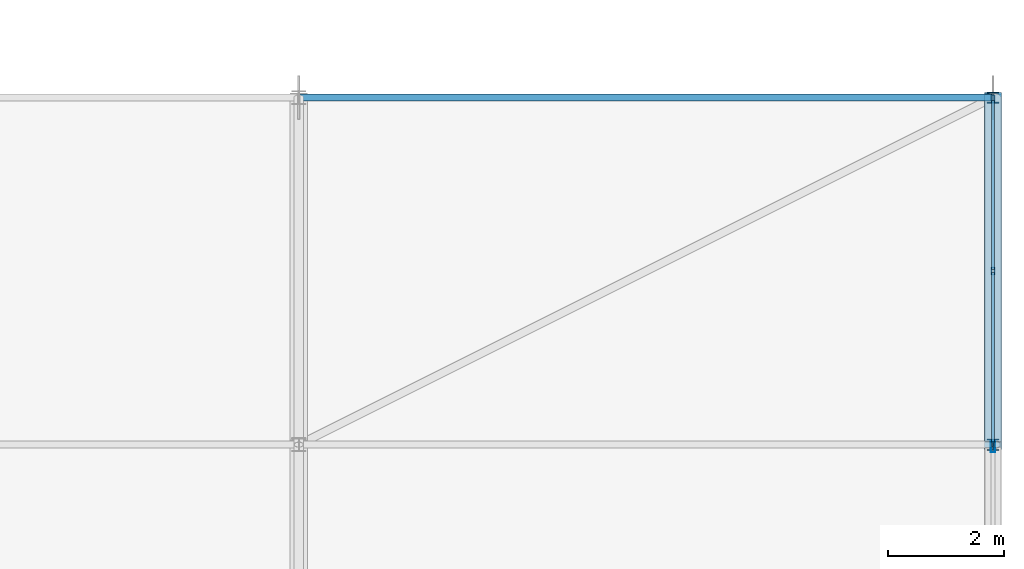
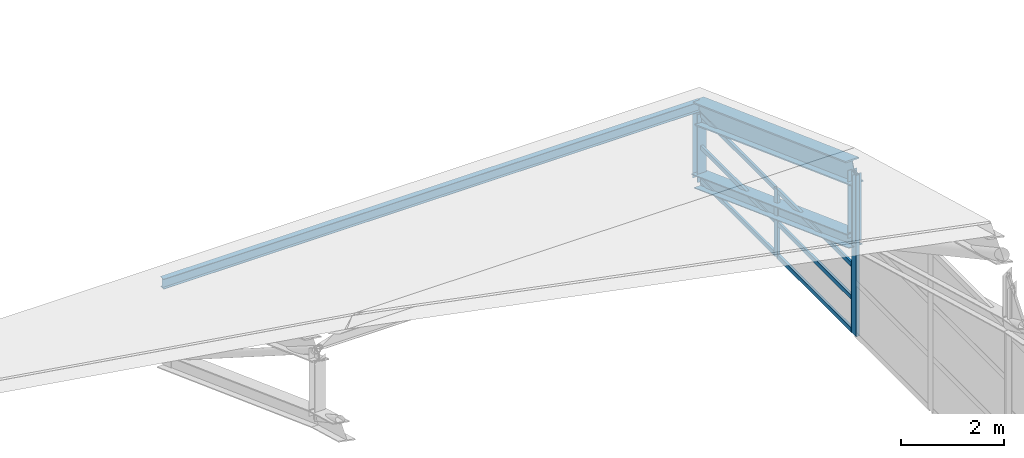
# One storey, part 116 of 204: 15 members, 2 elements without a shape of their own.
"""IFC4 building model written with IfcOpenShell, lengths in metres."""

from ifc_helpers import new_model, si_unit, direction, frame, origin, origin_2d, place, context, subcontext, project, spatial, hollow_rectangle, i_section, extrude, material, layer, layer_set, material_profile, profile_set, type_object, element, aggregate, save


model = new_model("IFC4")

# Units and contexts
model_context = context("Model", 3, precision=1e-05, world=origin(), true_north=direction((0.0, 1.0)))
body_context = subcontext(model_context, "Body", "Model", "MODEL_VIEW")
ifc_project = project(units=[si_unit("LENGTHUNIT", "METRE"), si_unit("AREAUNIT", "SQUARE_METRE"), si_unit("VOLUMEUNIT", "CUBIC_METRE"), si_unit("PLANEANGLEUNIT", "RADIAN"), si_unit("MASSUNIT", "GRAM", prefix="KILO")], contexts=[model_context])

# Site, building, storey
site_placement = place(None, origin())
site = spatial("IfcSite", under=ifc_project, at=site_placement, CompositionType="ELEMENT")
building_placement = place(site_placement, origin())
building = spatial("IfcBuilding", under=site, at=building_placement, Name="Zilviju Railside Exhibition Hall", CompositionType="ELEMENT")
storey_placement = place(building_placement, frame((0.0, 0.0, 21.0)))
storey = spatial("IfcBuildingStorey", under=building, at=storey_placement, Name="RF", CompositionType="ELEMENT", Elevation=21.0)

# Curtain wall, members
ifc_material_1 = material(Name="Thermally broken aluminium-steel triple-glazed curtain wall", Category="steel")
ifc_layer_1 = layer(ifc_material_1, 0.179931640625)
ifc_layer_set_1 = layer_set([ifc_layer_1], Name="Thermally broken aluminium-steel triple-glazed curtain wall")
curtain_wall_type_1 = type_object("IfcCurtainWallType", Name="CW-BAY-06", PredefinedType="USERDEFINED", material=ifc_layer_set_1)
curtain_wall_1_placement = place(storey_placement, origin())
curtain_wall_1 = element("IfcCurtainWall", 1, at=curtain_wall_1_placement, inside=storey, type_object=curtain_wall_type_1, Name="South Hall Arch Tympanum Glazing East P9", ObjectType="GLAZED CURTAIN WALL", PredefinedType="USERDEFINED")
ifc_material_2 = material(Name="Thermally broken anodized aluminium mullion", Category="aluminium")
ifc_material_profile_1 = material_profile(ifc_material_2, hollow_rectangle(XDim=0.054931640625, YDim=0.1298828125, WallThickness=0.0048828125, at=origin_2d()), Name="MULLION 130x55x5")
ifc_profile_set_1 = profile_set([ifc_material_profile_1], Name="Thermally broken anodized aluminium mullion")
member_type_1 = type_object("IfcMemberType", Name="CWM-55x130", PredefinedType="MULLION", material=ifc_profile_set_1)
member_1_placement = place(storey_placement, frame((216.0, 53.972412109375, -7.800048828125), z_axis=(0.0, 0.0, 1.0), x_axis=(1.0, 0.0, 0.0)))
member_1 = element("IfcMember", 2, at=member_1_placement, type_object=member_type_1, Name="CW-06 mullion 1", PredefinedType="MULLION", context=body_context, shape_type="SweptSolid", body=[
    extrude(hollow_rectangle(XDim=0.054931640625, YDim=0.1298828125, WallThickness=0.0048828125, at=origin_2d()), origin(), (0.0, 0.0, 1.0), 1.60009765625),
])
member_2_placement = place(storey_placement, frame((216.0, 51.0, -7.800048828125), z_axis=(0.0, 0.0, 1.0), x_axis=(1.0, 0.0, 0.0)))
member_2 = element("IfcMember", 3, at=member_2_placement, type_object=member_type_1, Name="CW-06 mullion 2", PredefinedType="MULLION", context=body_context, shape_type="SweptSolid", body=[
    extrude(hollow_rectangle(XDim=0.054931640625, YDim=0.1298828125, WallThickness=0.0048828125, at=origin_2d()), origin(), (0.0, 0.0, 1.0), 1.60009765625),
])
member_3_placement = place(storey_placement, frame((216.0, 48.027587890625, -7.800048828125), z_axis=(0.0, 0.0, 1.0), x_axis=(1.0, 0.0, 0.0)))
member_3 = element("IfcMember", 4, at=member_3_placement, type_object=member_type_1, Name="CW-06 mullion 3", PredefinedType="MULLION", context=body_context, shape_type="SweptSolid", body=[
    extrude(hollow_rectangle(XDim=0.054931640625, YDim=0.1298828125, WallThickness=0.0048828125, at=origin_2d()), origin(), (0.0, 0.0, 1.0), 1.60009765625),
])

# Curtain wall, member
ifc_layer_2 = layer(ifc_material_1, 0.179931640625)
ifc_layer_set_2 = layer_set([ifc_layer_2], Name="Thermally broken aluminium-steel triple-glazed curtain wall")
curtain_wall_type_2 = type_object("IfcCurtainWallType", Name="CW-BAY-05", PredefinedType="USERDEFINED", material=ifc_layer_set_2)
curtain_wall_2_placement = place(storey_placement, origin())
curtain_wall_2 = element("IfcCurtainWall", 5, at=curtain_wall_2_placement, inside=storey, type_object=curtain_wall_type_2, Name="South Hall Arch Tympanum Glazing East P8", ObjectType="GLAZED CURTAIN WALL", PredefinedType="USERDEFINED")
ifc_material_profile_2 = material_profile(ifc_material_2, hollow_rectangle(XDim=0.074951171875, YDim=0.18994140625, WallThickness=0.0048828125, at=origin_2d()), Name="MULLION 190x75x5")
ifc_profile_set_2 = profile_set([ifc_material_profile_2], Name="Thermally broken anodized aluminium mullion")
member_type_2 = type_object("IfcMemberType", Name="CWM-75x190", PredefinedType="MULLION", material=ifc_profile_set_2)
member_4_placement = place(storey_placement, frame((216.0, 47.96240234375, -7.800048828125), z_axis=(0.0, 0.0, 1.0), x_axis=(1.0, 0.0, 0.0)))
member_4 = element("IfcMember", 6, at=member_4_placement, type_object=member_type_2, Name="CW-05 mullion 1", PredefinedType="MULLION", context=body_context, shape_type="SweptSolid", body=[
    extrude(hollow_rectangle(XDim=0.074951171875, YDim=0.18994140625, WallThickness=0.0048828125, at=origin_2d()), origin(), (0.0, 0.0, 1.0), 3.81201171875),
])
aggregate(curtain_wall_2, [member_4])

# Member
ifc_material_3 = material(Name="Thermally broken anodized aluminium transom", Category="aluminium")
ifc_material_profile_3 = material_profile(ifc_material_3, hollow_rectangle(XDim=0.054931640625, YDim=0.10498046875, WallThickness=0.0048828125, at=origin_2d()), Name="TRANSOM 105x55x5")
ifc_profile_set_3 = profile_set([ifc_material_profile_3], Name="Thermally broken anodized aluminium transom")
member_type_3 = type_object("IfcMemberType", Name="CWT-55x105", PredefinedType="USERDEFINED", material=ifc_profile_set_3)
member_5_placement = place(storey_placement, frame((216.0, 53.945068359375, -7.7724609375), z_axis=(0.0, -1.0, 0.0), x_axis=(1.0, 0.0, 0.0)))
member_5 = element("IfcMember", 7, at=member_5_placement, type_object=member_type_3, Name="CW-06 transom 1.1", ObjectType="TRANSOM", PredefinedType="USERDEFINED", context=body_context, shape_type="SweptSolid", body=[
    extrude(hollow_rectangle(XDim=0.054931640625, YDim=0.10498046875, WallThickness=0.0048828125, at=origin_2d()), origin(), (0.0, 0.0, 1.0), 2.91748046875),
])

member_6_placement = place(storey_placement, frame((216.0, 53.945068359375, -7.0), z_axis=(0.0, -1.0, 0.0), x_axis=(1.0, 0.0, 0.0)))
member_6 = element("IfcMember", 8, at=member_6_placement, type_object=member_type_3, Name="CW-06 transom 1.2", ObjectType="TRANSOM", PredefinedType="USERDEFINED", context=body_context, shape_type="SweptSolid", body=[
    extrude(hollow_rectangle(XDim=0.054931640625, YDim=0.10498046875, WallThickness=0.0048828125, at=origin_2d()), origin(), (0.0, 0.0, 1.0), 2.91748046875),
])

member_7_placement = place(storey_placement, frame((216.0, 53.945068359375, -6.2275390625), z_axis=(0.0, -1.0, 0.0), x_axis=(1.0, 0.0, 0.0)))
member_7 = element("IfcMember", 9, at=member_7_placement, type_object=member_type_3, Name="CW-06 transom 1.3", ObjectType="TRANSOM", PredefinedType="USERDEFINED", context=body_context, shape_type="SweptSolid", body=[
    extrude(hollow_rectangle(XDim=0.054931640625, YDim=0.10498046875, WallThickness=0.0048828125, at=origin_2d()), origin(), (0.0, 0.0, 1.0), 2.91748046875),
])

member_8_placement = place(storey_placement, frame((216.0, 50.972412109375, -7.7724609375), z_axis=(0.0, -1.0, 0.0), x_axis=(1.0, 0.0, 0.0)))
member_8 = element("IfcMember", 10, at=member_8_placement, type_object=member_type_3, Name="CW-06 transom 2.1", ObjectType="TRANSOM", PredefinedType="USERDEFINED", context=body_context, shape_type="SweptSolid", body=[
    extrude(hollow_rectangle(XDim=0.054931640625, YDim=0.10498046875, WallThickness=0.0048828125, at=origin_2d()), origin(), (0.0, 0.0, 1.0), 2.91748046875),
])

member_9_placement = place(storey_placement, frame((216.0, 50.972412109375, -7.0), z_axis=(0.0, -1.0, 0.0), x_axis=(1.0, 0.0, 0.0)))
member_9 = element("IfcMember", 11, at=member_9_placement, type_object=member_type_3, Name="CW-06 transom 2.2", ObjectType="TRANSOM", PredefinedType="USERDEFINED", context=body_context, shape_type="SweptSolid", body=[
    extrude(hollow_rectangle(XDim=0.054931640625, YDim=0.10498046875, WallThickness=0.0048828125, at=origin_2d()), origin(), (0.0, 0.0, 1.0), 2.91748046875),
])

member_10_placement = place(storey_placement, frame((216.0, 50.972412109375, -6.2275390625), z_axis=(0.0, -1.0, 0.0), x_axis=(1.0, 0.0, 0.0)))
member_10 = element("IfcMember", 12, at=member_10_placement, type_object=member_type_3, Name="CW-06 transom 2.3", ObjectType="TRANSOM", PredefinedType="USERDEFINED", context=body_context, shape_type="SweptSolid", body=[
    extrude(hollow_rectangle(XDim=0.054931640625, YDim=0.10498046875, WallThickness=0.0048828125, at=origin_2d()), origin(), (0.0, 0.0, 1.0), 2.91748046875),
])

aggregate(curtain_wall_1, [member_1, member_2, member_3, member_5, member_6, member_7, member_8, member_9, member_10])

# Members
ifc_material_4 = material(Name="Steel S355ML", Category="steel")
ifc_material_profile_4 = material_profile(ifc_material_4, i_section(OverallWidth=0.300048828125, OverallDepth=0.300048828125, WebThickness=0.010986328125, FlangeThickness=0.01904296875, at=origin_2d()), Name="HEB 300")
ifc_profile_set_4 = profile_set([ifc_material_profile_4], Name="Steel S355ML")
member_type_4 = type_object("IfcMemberType", Name="TR-CH-HEB300", PredefinedType="CHORD", material=ifc_profile_set_4)
member_11_placement = place(storey_placement, frame((216.0, 48.0, -5.587646484375), z_axis=(0.0, 0.938247917098, -0.345963648468), x_axis=(-1.0, 0.0, 0.0)))
element("IfcMember", 13, at=member_11_placement, inside=storey, type_object=member_type_4, Name="V1 Parabolic Arch Bottom Chord X=216.0 P9", PredefinedType="CHORD", context=body_context, shape_type="SweptSolid", body=[
    extrude(i_section(OverallWidth=0.300048828125, OverallDepth=0.300048828125, WebThickness=0.010986328125, FlangeThickness=0.01904296875, at=origin_2d()), origin(), (0.0, 0.0, 1.0), 6.39501953125),
])
ifc_material_profile_5 = material_profile(ifc_material_4, i_section(OverallWidth=0.300048828125, OverallDepth=0.5, WebThickness=0.014404296875, FlangeThickness=0.028076171875, at=origin_2d()), Name="HEB 500")
ifc_profile_set_5 = profile_set([ifc_material_profile_5], Name="Steel S355ML")
member_type_5 = type_object("IfcMemberType", Name="TR-CH-HEB500-ML", PredefinedType="CHORD", material=ifc_profile_set_5)
member_12_placement = place(storey_placement, frame((216.0, 48.0, -3.987548828125), z_axis=(0.0, 0.938247917098, -0.345963648468), x_axis=(-1.0, 0.0, 0.0)))
element("IfcMember", 14, at=member_12_placement, inside=storey, type_object=member_type_5, Name="V1 Parabolic Arch Top Chord X=216.0 P9", PredefinedType="CHORD", context=body_context, shape_type="SweptSolid", body=[
    extrude(i_section(OverallWidth=0.300048828125, OverallDepth=0.5, WebThickness=0.014404296875, FlangeThickness=0.028076171875, at=origin_2d()), origin(), (0.0, 0.0, 1.0), 6.39501953125),
])
ifc_material_profile_6 = material_profile(ifc_material_4, i_section(OverallWidth=0.199951171875, OverallDepth=0.18994140625, WebThickness=0.006591796875, FlangeThickness=0.010009765625, at=origin_2d()), Name="HEA 200")
ifc_profile_set_6 = profile_set([ifc_material_profile_6], Name="Steel S355ML")
member_type_6 = type_object("IfcMemberType", Name="TR-POST-HEA200", PredefinedType="POST", material=ifc_profile_set_6)
for number, where, z_axis, x_axis, name in (
    (15, (216.0, 48.0, -5.587646484375), (0.0, 0.0, 1.0), (1.0, 0.0, 0.0), "V1 Parabolic Arch Web Post X=216.0 N8"),
    (16, (216.0, 54.0, -7.800048828125), (0.0, 0.0, 1.0), (1.0, 0.0, 0.0), "V1 Parabolic Arch Web Post X=216.0 N9"),
):
    element("IfcMember", number, at=place(storey_placement, frame(where, z_axis=z_axis, x_axis=x_axis)), inside=storey, type_object=member_type_6, Name=name, PredefinedType="POST", context=body_context, shape_type="SweptSolid", body=[
        extrude(i_section(OverallWidth=0.199951171875, OverallDepth=0.18994140625, WebThickness=0.006591796875, FlangeThickness=0.010009765625, at=origin_2d()), origin(), (0.0, 0.0, 1.0), 1.60009765625),
    ])
ifc_material_5 = material(Name="Steel S355J2", Category="steel")
ifc_material_profile_7 = material_profile(ifc_material_5, i_section(OverallWidth=0.1201171875, OverallDepth=0.239990234375, WebThickness=0.006103515625, FlangeThickness=0.009765625, at=origin_2d()), Name="IPE 240")
ifc_profile_set_7 = profile_set([ifc_material_profile_7], Name="Steel S355J2")
member_type_7 = type_object("IfcMemberType", Name="TR-PUR-IPE240", PredefinedType="PURLIN", material=ifc_profile_set_7)
member_13_placement = place(storey_placement, frame((204.0, 54.0, -6.05517578125), z_axis=(1.0, 0.0, 0.0), x_axis=(0.0, 1.0, 0.0)))
element("IfcMember", 17, at=member_13_placement, inside=storey, type_object=member_type_7, Name="V1 Barrel Vault Roof Purlin Y=54.0 (204.0..216.0)", PredefinedType="PURLIN", context=body_context, shape_type="SweptSolid", body=[
    extrude(i_section(OverallWidth=0.1201171875, OverallDepth=0.239990234375, WebThickness=0.006103515625, FlangeThickness=0.009765625, at=origin_2d()), origin(), (0.0, 0.0, 1.0), 12.0),
])

save(model, "model.ifc")
